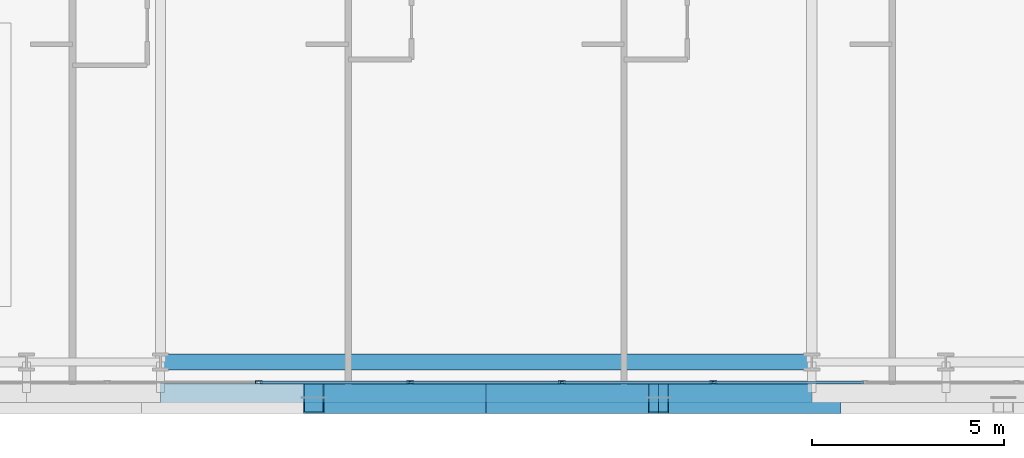
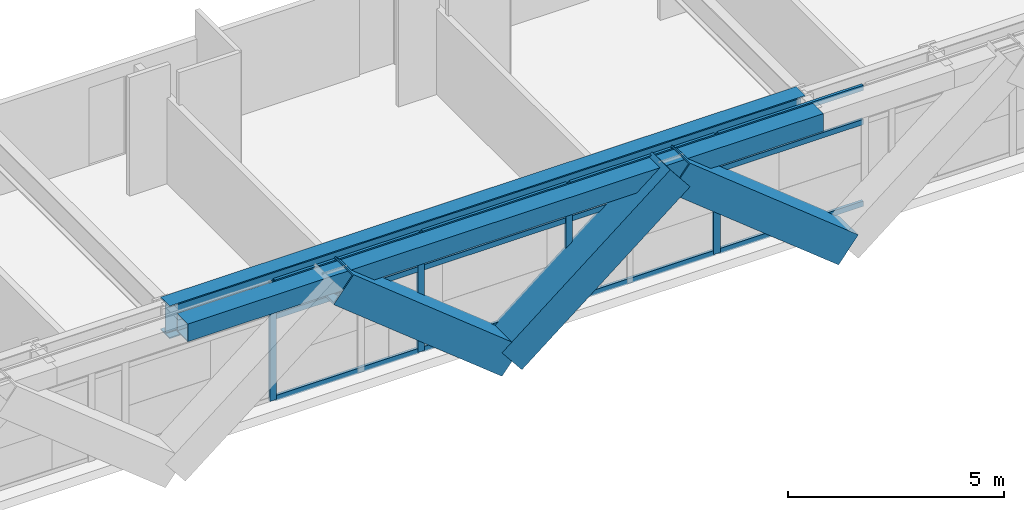
# One storey, part 5 of 35: 19 members, 2 beams, 1 element without a shape of its own.
"""IFC4 building model written with IfcOpenShell, lengths in metres."""

from ifc_helpers import new_model, si_unit, direction, frame, origin, origin_2d, place, context, subcontext, project, spatial, hollow_rectangle, i_section, extrude, source, transform, mapped, material, layer, layer_set, material_profile, profile_set, type_object, element, aggregate, save


model = new_model("IFC4")

# Units and contexts
model_context = context("Model", 3, precision=1e-05, world=origin(), true_north=direction((0.0, 1.0)))
body_context = subcontext(model_context, "Body", "Model", "MODEL_VIEW")
ifc_project = project(units=[si_unit("LENGTHUNIT", "METRE"), si_unit("AREAUNIT", "SQUARE_METRE"), si_unit("VOLUMEUNIT", "CUBIC_METRE"), si_unit("PLANEANGLEUNIT", "RADIAN"), si_unit("MASSUNIT", "GRAM", prefix="KILO")], contexts=[model_context])

# Site, building, storey
site_placement = place(None, origin())
site = spatial("IfcSite", under=ifc_project, at=site_placement, CompositionType="ELEMENT")
building_placement = place(site_placement, origin())
building = spatial("IfcBuilding", under=site, at=building_placement, Name="Ocotamira Hotel", CompositionType="ELEMENT")
storey_placement = place(building_placement, frame((0.0, 0.0, 78.0)))
storey = spatial("IfcBuildingStorey", under=building, at=storey_placement, Name="L19", CompositionType="ELEMENT", Elevation=78.0)

# Beams
ifc_material_1 = material(Name="Steel ASTM A992 Grade 50", Category="steel")
ifc_material_profile_1 = material_profile(ifc_material_1, i_section(OverallWidth=0.41796875, OverallDepth=0.927001953125, WebThickness=0.019287109375, FlangeThickness=0.031982421875, FilletRadius=0.02392578125, at=origin_2d()), Name="W36X231")
ifc_profile_set_1 = profile_set([ifc_material_profile_1], Name="Steel ASTM A992 Grade 50")
beam_type_1 = type_object("IfcBeamType", Name="BM-GIRD-W36X231", PredefinedType="BEAM", material=ifc_profile_set_1)
shared_shape_1 = source(origin(), body_context, "Body", "SweptSolid", [
    extrude(i_section(OverallWidth=0.41796875, OverallDepth=0.927001953125, WebThickness=0.019287109375, FlangeThickness=0.031982421875, FilletRadius=0.02392578125, at=origin_2d()), origin(), (0.0, 0.0, 1.0), 17.0),
])
beam_1_placement = place(storey_placement, frame((23.5, 2.949951171875, 2.886474609375), z_axis=(1.0, 0.0, 0.0), x_axis=(0.0, 1.0, 0.0)))
element("IfcBeam", 1, at=beam_1_placement, inside=storey, type_object=beam_type_1, Name="L19 Girder Y2.95 X23.5-40.5", PredefinedType="BEAM", context=body_context, shape_type="MappedRepresentation", body=[
    mapped(shared_shape_1, transform((0.0, 0.0, 0.0), scale=1.0)),
])
ifc_material_2 = material(Name="Steel ASTM A500 Grade C", Category="steel")
ifc_material_profile_2 = material_profile(ifc_material_2, hollow_rectangle(XDim=0.5, YDim=0.5, WallThickness=0.02001953125, at=origin_2d()), Name="HSS500X500X20")
ifc_profile_set_2 = profile_set([ifc_material_profile_2], Name="Steel ASTM A500 Grade C")
beam_type_2 = type_object("IfcBeamType", Name="BM-SPAN-HSS500", PredefinedType="USERDEFINED", material=ifc_profile_set_2)
shared_shape_2 = source(origin(), body_context, "Body", "SweptSolid", [
    extrude(hollow_rectangle(XDim=0.5, YDim=0.5, WallThickness=0.02001953125, at=origin_2d()), origin(), (0.0, 0.0, 1.0), 17.0),
])
beam_2_placement = place(storey_placement, frame((23.5, 2.14990234375, 3.10009765625), z_axis=(1.0, 0.0, 0.0), x_axis=(0.0, 1.0, 0.0)))
element("IfcBeam", 2, at=beam_2_placement, inside=storey, type_object=beam_type_2, Name="L19 Edge Spandrel S X23.5-40.5", ObjectType="SPANDREL", PredefinedType="USERDEFINED", context=body_context, shape_type="MappedRepresentation", body=[
    mapped(shared_shape_2, transform((0.0, 0.0, 0.0), scale=1.0)),
])

# Members
ifc_material_3 = material(Name="Pale-metal coated steel ASTM A913 Grade 65", Category="steel")
ifc_material_profile_3 = material_profile(ifc_material_3, hollow_rectangle(XDim=0.85009765625, YDim=0.85009765625, WallThickness=0.035888671875, at=origin_2d()), Name="BOX850X850X36")
ifc_profile_set_3 = profile_set([ifc_material_profile_3], Name="Pale-metal coated steel ASTM A913 Grade 65")
member_type_1 = type_object("IfcMemberType", Name="MEM-EXO-BOX850", PredefinedType="BRACE", material=ifc_profile_set_3)
shared_shape_3 = source(origin(), body_context, "Body", "SweptSolid", [
    extrude(hollow_rectangle(XDim=0.85009765625, YDim=0.85009765625, WallThickness=0.035888671875, at=origin_2d()), origin(), (0.0, 0.0, 1.0), 5.762939453125),
])
for number, where, z_axis, x_axis, name in (
    (3, (32.0, 2.030029296875, -0.5), (-0.780860543151, 0.0, 0.624705380279), (0.0, -1.0, 0.0), "L19 Exoskeleton Diagrid S1.2"),
    (4, (32.0, 2.030029296875, -0.5), (0.780860543151, 0.0, 0.624705380279), (0.0, 1.0, 0.0), "L19 Exoskeleton Diagrid S2.1"),
    (5, (41.0, 2.030029296875, -0.5), (-0.780860543151, 0.0, 0.624705380279), (0.0, -1.0, 0.0), "L19 Exoskeleton Diagrid S2.2"),
):
    element("IfcMember", number, at=place(storey_placement, frame(where, z_axis=z_axis, x_axis=x_axis)), inside=storey, type_object=member_type_1, Name=name, PredefinedType="BRACE", context=body_context, shape_type="MappedRepresentation", body=[
        mapped(shared_shape_3, transform((0.0, 0.0, 0.0), scale=1.0)),
    ])

# Curtain wall, members
ifc_material_4 = material(Name="Anodised pale-metal aluminium and solar glass", Category="aluminium")
ifc_layer = layer(ifc_material_4, 0.179931640625)
ifc_layer_set = layer_set([ifc_layer], Name="Anodised pale-metal aluminium and solar glass")
curtain_wall_type = type_object("IfcCurtainWallType", Name="CW-SYS2-Z1", PredefinedType="NOTDEFINED", material=ifc_layer_set)
curtain_wall_placement = place(storey_placement, origin())
curtain_wall = element("IfcCurtainWall", 6, at=curtain_wall_placement, inside=storey, type_object=curtain_wall_type, Name="L19 Curtain Wall CW-2 CW-L19-S1", PredefinedType="NOTDEFINED")
ifc_material_5 = material(Name="Anodised pale-metal aluminium 6063-T6", Category="aluminium")
ifc_material_profile_4 = material_profile(ifc_material_5, hollow_rectangle(XDim=0.074951171875, YDim=0.14990234375, WallThickness=0.006103515625, at=origin_2d()), Name="HSS150X75X6")
ifc_profile_set_4 = profile_set([ifc_material_profile_4], Name="Anodised pale-metal aluminium 6063-T6")
member_type_2 = type_object("IfcMemberType", Name="CWT-150X75", PredefinedType="USERDEFINED", material=ifc_profile_set_4)
shared_shape_4 = source(origin(), body_context, "Body", "SweptSolid", [
    extrude(hollow_rectangle(XDim=0.074951171875, YDim=0.14990234375, WallThickness=0.006103515625, at=origin_2d()), origin(), (0.0, 0.0, 1.0), 3.87548828125),
])
member_1_placement = place(storey_placement, frame((26.106689453125, 2.419921875, 0.03759765625), z_axis=(1.0, 0.0, 0.0), x_axis=(0.0, 1.0, 0.0)))
member_1 = element("IfcMember", 7, at=member_1_placement, type_object=member_type_2, Name="CW-2 transom 4.1", ObjectType="TRANSOM", PredefinedType="USERDEFINED", context=body_context, shape_type="MappedRepresentation", body=[
    mapped(shared_shape_4, transform((0.0, 0.0, 0.0), scale=1.0)),
])
member_2_placement = place(storey_placement, frame((26.106689453125, 2.419921875, 2.35009765625), z_axis=(1.0, 0.0, 0.0), x_axis=(0.0, 1.0, 0.0)))
member_2 = element("IfcMember", 8, at=member_2_placement, type_object=member_type_2, Name="CW-2 transom 4.2", ObjectType="TRANSOM", PredefinedType="USERDEFINED", context=body_context, shape_type="MappedRepresentation", body=[
    mapped(shared_shape_4, transform((0.0, 0.0, 0.0), scale=1.0)),
])
member_3_placement = place(storey_placement, frame((26.106689453125, 2.419921875, 3.3125), z_axis=(1.0, 0.0, 0.0), x_axis=(0.0, 1.0, 0.0)))
member_3 = element("IfcMember", 9, at=member_3_placement, type_object=member_type_2, Name="CW-2 transom 4.3", ObjectType="TRANSOM", PredefinedType="USERDEFINED", context=body_context, shape_type="MappedRepresentation", body=[
    mapped(shared_shape_4, transform((0.0, 0.0, 0.0), scale=1.0)),
])
member_4_placement = place(storey_placement, frame((30.062255859375, 2.419921875, 0.03759765625), z_axis=(1.0, 0.0, 0.0), x_axis=(0.0, 1.0, 0.0)))
member_4 = element("IfcMember", 10, at=member_4_placement, type_object=member_type_2, Name="CW-2 transom 5.1", ObjectType="TRANSOM", PredefinedType="USERDEFINED", context=body_context, shape_type="MappedRepresentation", body=[
    mapped(shared_shape_4, transform((0.0, 0.0, 0.0), scale=1.0)),
])
member_5_placement = place(storey_placement, frame((30.062255859375, 2.419921875, 2.35009765625), z_axis=(1.0, 0.0, 0.0), x_axis=(0.0, 1.0, 0.0)))
member_5 = element("IfcMember", 11, at=member_5_placement, type_object=member_type_2, Name="CW-2 transom 5.2", ObjectType="TRANSOM", PredefinedType="USERDEFINED", context=body_context, shape_type="MappedRepresentation", body=[
    mapped(shared_shape_4, transform((0.0, 0.0, 0.0), scale=1.0)),
])
member_6_placement = place(storey_placement, frame((30.062255859375, 2.419921875, 3.3125), z_axis=(1.0, 0.0, 0.0), x_axis=(0.0, 1.0, 0.0)))
member_6 = element("IfcMember", 12, at=member_6_placement, type_object=member_type_2, Name="CW-2 transom 5.3", ObjectType="TRANSOM", PredefinedType="USERDEFINED", context=body_context, shape_type="MappedRepresentation", body=[
    mapped(shared_shape_4, transform((0.0, 0.0, 0.0), scale=1.0)),
])
member_7_placement = place(storey_placement, frame((34.017822265625, 2.419921875, 0.03759765625), z_axis=(1.0, 0.0, 0.0), x_axis=(0.0, 1.0, 0.0)))
member_7 = element("IfcMember", 13, at=member_7_placement, type_object=member_type_2, Name="CW-2 transom 6.1", ObjectType="TRANSOM", PredefinedType="USERDEFINED", context=body_context, shape_type="MappedRepresentation", body=[
    mapped(shared_shape_4, transform((0.0, 0.0, 0.0), scale=1.0)),
])
member_8_placement = place(storey_placement, frame((34.017822265625, 2.419921875, 2.35009765625), z_axis=(1.0, 0.0, 0.0), x_axis=(0.0, 1.0, 0.0)))
member_8 = element("IfcMember", 14, at=member_8_placement, type_object=member_type_2, Name="CW-2 transom 6.2", ObjectType="TRANSOM", PredefinedType="USERDEFINED", context=body_context, shape_type="MappedRepresentation", body=[
    mapped(shared_shape_4, transform((0.0, 0.0, 0.0), scale=1.0)),
])
member_9_placement = place(storey_placement, frame((34.017822265625, 2.419921875, 3.3125), z_axis=(1.0, 0.0, 0.0), x_axis=(0.0, 1.0, 0.0)))
member_9 = element("IfcMember", 15, at=member_9_placement, type_object=member_type_2, Name="CW-2 transom 6.3", ObjectType="TRANSOM", PredefinedType="USERDEFINED", context=body_context, shape_type="MappedRepresentation", body=[
    mapped(shared_shape_4, transform((0.0, 0.0, 0.0), scale=1.0)),
])
member_10_placement = place(storey_placement, frame((37.973388671875, 2.419921875, 0.03759765625), z_axis=(1.0, 0.0, 0.0), x_axis=(0.0, 1.0, 0.0)))
member_10 = element("IfcMember", 16, at=member_10_placement, type_object=member_type_2, Name="CW-2 transom 7.1", ObjectType="TRANSOM", PredefinedType="USERDEFINED", context=body_context, shape_type="MappedRepresentation", body=[
    mapped(shared_shape_4, transform((0.0, 0.0, 0.0), scale=1.0)),
])
member_11_placement = place(storey_placement, frame((37.973388671875, 2.419921875, 2.35009765625), z_axis=(1.0, 0.0, 0.0), x_axis=(0.0, 1.0, 0.0)))
member_11 = element("IfcMember", 17, at=member_11_placement, type_object=member_type_2, Name="CW-2 transom 7.2", ObjectType="TRANSOM", PredefinedType="USERDEFINED", context=body_context, shape_type="MappedRepresentation", body=[
    mapped(shared_shape_4, transform((0.0, 0.0, 0.0), scale=1.0)),
])
member_12_placement = place(storey_placement, frame((37.973388671875, 2.419921875, 3.3125), z_axis=(1.0, 0.0, 0.0), x_axis=(0.0, 1.0, 0.0)))
member_12 = element("IfcMember", 18, at=member_12_placement, type_object=member_type_2, Name="CW-2 transom 7.3", ObjectType="TRANSOM", PredefinedType="USERDEFINED", context=body_context, shape_type="MappedRepresentation", body=[
    mapped(shared_shape_4, transform((0.0, 0.0, 0.0), scale=1.0)),
])
ifc_material_profile_5 = material_profile(ifc_material_5, hollow_rectangle(XDim=0.080078125, YDim=0.179931640625, WallThickness=0.006103515625, at=origin_2d()), Name="HSS180X80X6")
ifc_profile_set_5 = profile_set([ifc_material_profile_5], Name="Anodised pale-metal aluminium 6063-T6")
member_type_3 = type_object("IfcMemberType", Name="CWM-180X75", PredefinedType="MULLION", material=ifc_profile_set_5)
shared_shape_5 = source(origin(), body_context, "Body", "SweptSolid", [
    extrude(hollow_rectangle(XDim=0.080078125, YDim=0.179931640625, WallThickness=0.006103515625, at=origin_2d()), origin(), (0.0, 0.0, 1.0), 3.35009765625),
])
member_13_placement = place(storey_placement, frame((26.066650390625, 2.419921875, 0.0), z_axis=(0.0, 0.0, 1.0), x_axis=(0.0, 1.0, 0.0)))
member_13 = element("IfcMember", 19, at=member_13_placement, type_object=member_type_3, Name="CW-2 mullion 4", PredefinedType="MULLION", context=body_context, shape_type="MappedRepresentation", body=[
    mapped(shared_shape_5, transform((0.0, 0.0, 0.0), scale=1.0)),
])
member_14_placement = place(storey_placement, frame((30.022216796875, 2.419921875, 0.0), z_axis=(0.0, 0.0, 1.0), x_axis=(0.0, 1.0, 0.0)))
member_14 = element("IfcMember", 20, at=member_14_placement, type_object=member_type_3, Name="CW-2 mullion 5", PredefinedType="MULLION", context=body_context, shape_type="MappedRepresentation", body=[
    mapped(shared_shape_5, transform((0.0, 0.0, 0.0), scale=1.0)),
])
member_15_placement = place(storey_placement, frame((33.977783203125, 2.419921875, 0.0), z_axis=(0.0, 0.0, 1.0), x_axis=(0.0, 1.0, 0.0)))
member_15 = element("IfcMember", 21, at=member_15_placement, type_object=member_type_3, Name="CW-2 mullion 6", PredefinedType="MULLION", context=body_context, shape_type="MappedRepresentation", body=[
    mapped(shared_shape_5, transform((0.0, 0.0, 0.0), scale=1.0)),
])
member_16_placement = place(storey_placement, frame((37.933349609375, 2.419921875, 0.0), z_axis=(0.0, 0.0, 1.0), x_axis=(0.0, 1.0, 0.0)))
member_16 = element("IfcMember", 22, at=member_16_placement, type_object=member_type_3, Name="CW-2 mullion 7", PredefinedType="MULLION", context=body_context, shape_type="MappedRepresentation", body=[
    mapped(shared_shape_5, transform((0.0, 0.0, 0.0), scale=1.0)),
])
aggregate(curtain_wall, [member_13, member_14, member_15, member_16, member_1, member_2, member_3, member_4, member_5, member_6, member_7, member_8, member_9, member_10, member_11, member_12])

save(model, "model.ifc")
